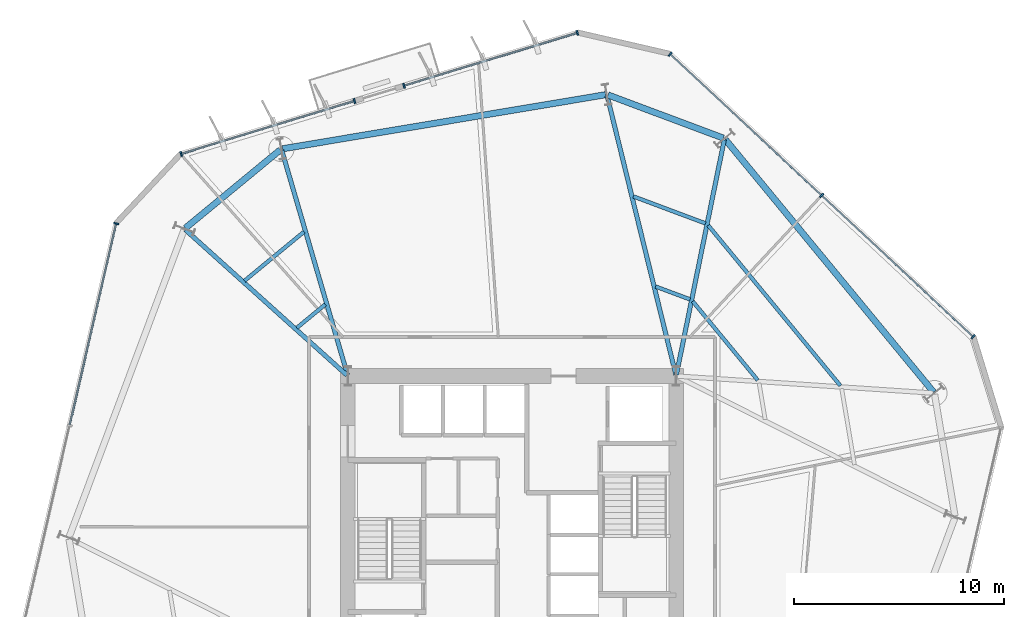
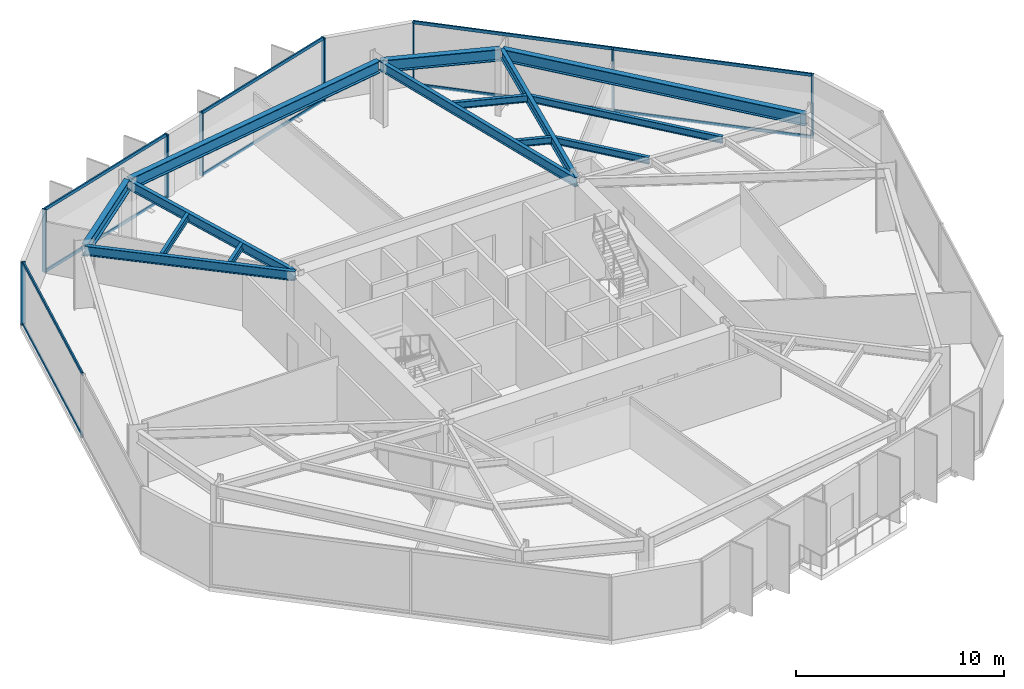
# One storey, part 4 of 9: 18 members, 14 beams, 4 elements without a shape of their own.
"""IFC4 building model written with IfcOpenShell, lengths in metres."""

from ifc_helpers import new_model, si_unit, direction, frame, origin, origin_2d, place, context, subcontext, project, spatial, rectangle, i_section, extrude, material, layer, layer_set, material_profile, profile_set, type_object, element, aggregate, save


model = new_model("IFC4")

# Units and contexts
model_context = context("Model", 3, precision=1e-05, world=origin(), true_north=direction((0.0, 1.0)))
body_context = subcontext(model_context, "Body", "Model", "MODEL_VIEW")
ifc_project = project(units=[si_unit("LENGTHUNIT", "METRE"), si_unit("AREAUNIT", "SQUARE_METRE"), si_unit("VOLUMEUNIT", "CUBIC_METRE"), si_unit("PLANEANGLEUNIT", "RADIAN"), si_unit("MASSUNIT", "GRAM", prefix="KILO")], contexts=[model_context])

# Site, building, storey
site_placement = place(None, origin())
site = spatial("IfcSite", under=ifc_project, at=site_placement, CompositionType="ELEMENT")
building_placement = place(site_placement, origin())
building = spatial("IfcBuilding", under=site, at=building_placement, Name="Kranzbogen Civic Tower", CompositionType="ELEMENT")
storey_placement = place(building_placement, frame((0.0, 0.0, 88.0)))
storey = spatial("IfcBuildingStorey", under=building, at=storey_placement, Name="L21", CompositionType="ELEMENT", Elevation=88.0)

# Curtain wall, members
ifc_material_1 = material(Name="Pale Anodised Aluminium", Category="aluminium")
ifc_layer = layer(ifc_material_1, 0.219970703125, Name="Pale Anodised Aluminium")
ifc_layer_set = layer_set([ifc_layer], Name="Pale Anodised Aluminium")
curtain_wall_type = type_object("IfcCurtainWallType", Name="Zone 1 Stick Curtain Wall System CW-02", PredefinedType="USERDEFINED", material=ifc_layer_set)
curtain_wall_1_placement = place(storey_placement, origin())
curtain_wall_1 = element("IfcCurtainWall", 1, at=curtain_wall_1_placement, inside=storey, type_object=curtain_wall_type, Name="L21 curtain wall CW-L21-F1", ObjectType="STICK CURTAIN WALL", PredefinedType="USERDEFINED")
ifc_material_profile_1 = material_profile(ifc_material_1, rectangle(XDim=0.080078125, YDim=0.239990234375, at=origin_2d()), Name="ALU-M 80x240")
ifc_profile_set_1 = profile_set([ifc_material_profile_1], Name="Pale Anodised Aluminium")
member_type_1 = type_object("IfcMemberType", Name="Curtain Wall Mullion ALU-M 80x240", PredefinedType="MULLION", material=ifc_profile_set_1)
member_1_placement = place(storey_placement, frame((46.9111328125, 34.0654296875, 0.0), z_axis=(0.0, 0.0, 1.0), x_axis=(-0.731366783593, 0.681984331093, 0.0)))
member_1 = element("IfcMember", 2, at=member_1_placement, type_object=member_type_1, Name="CW-02 mullion 1", PredefinedType="MULLION", context=body_context, shape_type="SweptSolid", body=[
    extrude(rectangle(XDim=0.080078125, YDim=0.239990234375, at=origin_2d()), origin(), (0.0, 0.0, 1.0), 3.699951171875),
])
member_2_placement = place(storey_placement, frame((39.712890625, 40.777587890625, 0.0), z_axis=(0.0, 0.0, 1.0), x_axis=(-0.731366783593, 0.681984331093, 0.0)))
member_2 = element("IfcMember", 3, at=member_2_placement, type_object=member_type_1, Name="CW-02 mullion 2", PredefinedType="MULLION", context=body_context, shape_type="SweptSolid", body=[
    extrude(rectangle(XDim=0.080078125, YDim=0.239990234375, at=origin_2d()), origin(), (0.0, 0.0, 1.0), 3.699951171875),
])
member_3_placement = place(storey_placement, frame((32.514892578125, 47.489501953125, 0.0), z_axis=(0.0, 0.0, 1.0), x_axis=(-0.731366783593, 0.681984331093, 0.0)))
member_3 = element("IfcMember", 4, at=member_3_placement, type_object=member_type_1, Name="CW-02 mullion 3", PredefinedType="MULLION", context=body_context, shape_type="SweptSolid", body=[
    extrude(rectangle(XDim=0.080078125, YDim=0.239990234375, at=origin_2d()), origin(), (0.0, 0.0, 1.0), 3.699951171875),
])

curtain_wall_2_placement = place(storey_placement, origin())
curtain_wall_2 = element("IfcCurtainWall", 5, at=curtain_wall_2_placement, inside=storey, type_object=curtain_wall_type, Name="L21 curtain wall CW-L21-F2-S1", ObjectType="STICK CURTAIN WALL", PredefinedType="USERDEFINED")
member_4_placement = place(storey_placement, frame((28.105224609375, 48.50732421875, 0.0), z_axis=(0.0, 0.0, 1.0), x_axis=(-0.956296060209, -0.29240014574, 0.0)))
member_4 = element("IfcMember", 6, at=member_4_placement, type_object=member_type_1, Name="CW-02 mullion 1", PredefinedType="MULLION", context=body_context, shape_type="SweptSolid", body=[
    extrude(rectangle(XDim=0.080078125, YDim=0.239990234375, at=origin_2d()), origin(), (0.0, 0.0, 1.0), 3.699951171875),
])
member_5_placement = place(storey_placement, frame((19.86865234375, 45.98876953125, 0.0), z_axis=(0.0, 0.0, 1.0), x_axis=(-0.956296060209, -0.29240014574, 0.0)))
member_5 = element("IfcMember", 7, at=member_5_placement, type_object=member_type_1, Name="CW-02 mullion 2", PredefinedType="MULLION", context=body_context, shape_type="SweptSolid", body=[
    extrude(rectangle(XDim=0.080078125, YDim=0.239990234375, at=origin_2d()), origin(), (0.0, 0.0, 1.0), 3.699951171875),
])

curtain_wall_3_placement = place(storey_placement, origin())
curtain_wall_3 = element("IfcCurtainWall", 8, at=curtain_wall_3_placement, inside=storey, type_object=curtain_wall_type, Name="L21 curtain wall CW-L21-F2-S2", ObjectType="STICK CURTAIN WALL", PredefinedType="USERDEFINED")
member_6_placement = place(storey_placement, frame((17.516357421875, 45.269287109375, 0.0), z_axis=(0.0, 0.0, 1.0), x_axis=(-0.956318442996, -0.292326932707, 0.0)))
member_6 = element("IfcMember", 9, at=member_6_placement, type_object=member_type_1, Name="CW-02 mullion 1", PredefinedType="MULLION", context=body_context, shape_type="SweptSolid", body=[
    extrude(rectangle(XDim=0.080078125, YDim=0.239990234375, at=origin_2d()), origin(), (0.0, 0.0, 1.0), 3.699951171875),
])
member_7_placement = place(storey_placement, frame((9.28076171875, 42.751708984375, 0.0), z_axis=(0.0, 0.0, 1.0), x_axis=(-0.956318442996, -0.292326932707, 0.0)))
member_7 = element("IfcMember", 10, at=member_7_placement, type_object=member_type_1, Name="CW-02 mullion 2", PredefinedType="MULLION", context=body_context, shape_type="SweptSolid", body=[
    extrude(rectangle(XDim=0.080078125, YDim=0.239990234375, at=origin_2d()), origin(), (0.0, 0.0, 1.0), 3.699951171875),
])

# Curtain wall, member
curtain_wall_4_placement = place(storey_placement, origin())
curtain_wall_4 = element("IfcCurtainWall", 11, at=curtain_wall_4_placement, inside=storey, type_object=curtain_wall_type, Name="L21 curtain wall CW-L21-F3", ObjectType="STICK CURTAIN WALL", PredefinedType="USERDEFINED")
member_8_placement = place(storey_placement, frame((6.1943359375, 39.44287109375, 0.0), z_axis=(0.0, 0.0, 1.0), x_axis=(-0.224977873109, -0.974363872797, 0.0)))
member_8 = element("IfcMember", 12, at=member_8_placement, type_object=member_type_1, Name="CW-02 mullion 1", PredefinedType="MULLION", context=body_context, shape_type="SweptSolid", body=[
    extrude(rectangle(XDim=0.080078125, YDim=0.239990234375, at=origin_2d()), origin(), (0.0, 0.0, 1.0), 3.699951171875),
])

# Member
ifc_material_profile_2 = material_profile(ifc_material_1, rectangle(XDim=0.080078125, YDim=0.179931640625, at=origin_2d()), Name="ALU-T 80x180")
ifc_profile_set_2 = profile_set([ifc_material_profile_2], Name="Pale Anodised Aluminium")
member_type_2 = type_object("IfcMemberType", Name="Curtain Wall Transom ALU-T 80x180", PredefinedType="USERDEFINED", material=ifc_profile_set_2)
member_9_placement = place(storey_placement, frame((46.88916015625, 34.0859375, 0.030029296875), z_axis=(-0.731371404385, 0.681979375676, 0.0), x_axis=(-0.681979375676, -0.731371404385, 0.0)))
member_9 = element("IfcMember", 13, at=member_9_placement, type_object=member_type_2, Name="CW-02 transom 1.1", ObjectType="TRANSOM", PredefinedType="USERDEFINED", context=body_context, shape_type="SweptSolid", body=[
    extrude(rectangle(XDim=0.080078125, YDim=0.179931640625, at=origin_2d()), origin(), (0.0, 0.0, 1.0), 9.781982421875),
])

member_10_placement = place(storey_placement, frame((46.88916015625, 34.0859375, 3.669921875), z_axis=(-0.731371404385, 0.681979375676, 0.0), x_axis=(-0.681979375676, -0.731371404385, 0.0)))
member_10 = element("IfcMember", 14, at=member_10_placement, type_object=member_type_2, Name="CW-02 transom 1.2", ObjectType="TRANSOM", PredefinedType="USERDEFINED", context=body_context, shape_type="SweptSolid", body=[
    extrude(rectangle(XDim=0.080078125, YDim=0.179931640625, at=origin_2d()), origin(), (0.0, 0.0, 1.0), 9.781982421875),
])

member_11_placement = place(storey_placement, frame((39.691162109375, 40.7978515625, 0.030029296875), z_axis=(-0.731371404385, 0.681979375676, 0.0), x_axis=(-0.681979375676, -0.731371404385, 0.0)))
member_11 = element("IfcMember", 15, at=member_11_placement, type_object=member_type_2, Name="CW-02 transom 2.1", ObjectType="TRANSOM", PredefinedType="USERDEFINED", context=body_context, shape_type="SweptSolid", body=[
    extrude(rectangle(XDim=0.080078125, YDim=0.179931640625, at=origin_2d()), origin(), (0.0, 0.0, 1.0), 9.781982421875),
])

member_12_placement = place(storey_placement, frame((39.691162109375, 40.7978515625, 3.669921875), z_axis=(-0.731371404385, 0.681979375676, 0.0), x_axis=(-0.681979375676, -0.731371404385, 0.0)))
member_12 = element("IfcMember", 16, at=member_12_placement, type_object=member_type_2, Name="CW-02 transom 2.2", ObjectType="TRANSOM", PredefinedType="USERDEFINED", context=body_context, shape_type="SweptSolid", body=[
    extrude(rectangle(XDim=0.080078125, YDim=0.179931640625, at=origin_2d()), origin(), (0.0, 0.0, 1.0), 9.781982421875),
])

aggregate(curtain_wall_1, [member_1, member_2, member_3, member_9, member_10, member_11, member_12])

member_13_placement = place(storey_placement, frame((28.07666015625, 48.49853515625, 0.030029296875), z_axis=(-0.956293496514, -0.292408530186, 0.0), x_axis=(0.292408530186, -0.956293496514, 0.0)))
member_13 = element("IfcMember", 17, at=member_13_placement, type_object=member_type_2, Name="CW-02 transom 1.1", ObjectType="TRANSOM", PredefinedType="USERDEFINED", context=body_context, shape_type="SweptSolid", body=[
    extrude(rectangle(XDim=0.080078125, YDim=0.179931640625, at=origin_2d()), origin(), (0.0, 0.0, 1.0), 8.552978515625),
])

member_14_placement = place(storey_placement, frame((28.07666015625, 48.49853515625, 3.669921875), z_axis=(-0.956293496514, -0.292408530186, 0.0), x_axis=(0.292408530186, -0.956293496514, 0.0)))
member_14 = element("IfcMember", 18, at=member_14_placement, type_object=member_type_2, Name="CW-02 transom 1.2", ObjectType="TRANSOM", PredefinedType="USERDEFINED", context=body_context, shape_type="SweptSolid", body=[
    extrude(rectangle(XDim=0.080078125, YDim=0.179931640625, at=origin_2d()), origin(), (0.0, 0.0, 1.0), 8.552978515625),
])

aggregate(curtain_wall_2, [member_4, member_5, member_13, member_14])

member_15_placement = place(storey_placement, frame((17.487548828125, 45.260498046875, 0.030029296875), z_axis=(-0.956315661701, -0.29233603128, 0.0), x_axis=(0.29233603128, -0.956315661701, 0.0)))
member_15 = element("IfcMember", 19, at=member_15_placement, type_object=member_type_2, Name="CW-02 transom 1.1", ObjectType="TRANSOM", PredefinedType="USERDEFINED", context=body_context, shape_type="SweptSolid", body=[
    extrude(rectangle(XDim=0.080078125, YDim=0.179931640625, at=origin_2d()), origin(), (0.0, 0.0, 1.0), 8.5517578125),
])

member_16_placement = place(storey_placement, frame((17.487548828125, 45.260498046875, 3.669921875), z_axis=(-0.956315661701, -0.29233603128, 0.0), x_axis=(0.29233603128, -0.956315661701, 0.0)))
member_16 = element("IfcMember", 20, at=member_16_placement, type_object=member_type_2, Name="CW-02 transom 1.2", ObjectType="TRANSOM", PredefinedType="USERDEFINED", context=body_context, shape_type="SweptSolid", body=[
    extrude(rectangle(XDim=0.080078125, YDim=0.179931640625, at=origin_2d()), origin(), (0.0, 0.0, 1.0), 8.5517578125),
])

aggregate(curtain_wall_3, [member_6, member_7, member_15, member_16])

member_17_placement = place(storey_placement, frame((6.1875, 39.41357421875, 0.030029296875), z_axis=(-0.224972517809, -0.974365109305, 0.0), x_axis=(0.974365109305, -0.224972517809, 0.0)))
member_17 = element("IfcMember", 21, at=member_17_placement, type_object=member_type_2, Name="CW-02 transom 1.1", ObjectType="TRANSOM", PredefinedType="USERDEFINED", context=body_context, shape_type="SweptSolid", body=[
    extrude(rectangle(XDim=0.080078125, YDim=0.179931640625, at=origin_2d()), origin(), (0.0, 0.0, 1.0), 9.781982421875),
])

member_18_placement = place(storey_placement, frame((6.1875, 39.41357421875, 3.669921875), z_axis=(-0.224972517809, -0.974365109305, 0.0), x_axis=(0.974365109305, -0.224972517809, 0.0)))
member_18 = element("IfcMember", 22, at=member_18_placement, type_object=member_type_2, Name="CW-02 transom 1.2", ObjectType="TRANSOM", PredefinedType="USERDEFINED", context=body_context, shape_type="SweptSolid", body=[
    extrude(rectangle(XDim=0.080078125, YDim=0.179931640625, at=origin_2d()), origin(), (0.0, 0.0, 1.0), 9.781982421875),
])

aggregate(curtain_wall_4, [member_8, member_17, member_18])

# Beams
ifc_material_2 = material(Name="Steel S355", Category="steel")
ifc_material_profile_3 = material_profile(ifc_material_2, i_section(OverallWidth=0.300048828125, OverallDepth=0.699951171875, WebThickness=0.01708984375, FlangeThickness=0.031982421875, at=origin_2d()), Name="HEB 700")
ifc_profile_set_3 = profile_set([ifc_material_profile_3], Name="Steel S355")
beam_type_1 = type_object("IfcBeamType", Name="Perimeter Tube Spandrel Beam HEB 700", PredefinedType="SPANDREL", material=ifc_profile_set_3)
beam_1_placement = place(storey_placement, frame((45.033935546875, 31.431884765625, 3.35009765625), z_axis=(-0.636074572579, 0.771627590304, 0.0), x_axis=(-0.771627590304, -0.636074572579, 0.0)))
element("IfcBeam", 23, at=beam_1_placement, inside=storey, type_object=beam_type_1, Name="L21 perimeter spandrel beam 08", PredefinedType="SPANDREL", context=body_context, shape_type="SweptSolid", body=[
    extrude(i_section(OverallWidth=0.300048828125, OverallDepth=0.699951171875, WebThickness=0.01708984375, FlangeThickness=0.031982421875, at=origin_2d()), origin(), (0.0, 0.0, 1.0), 15.5595703125),
])
beam_2_placement = place(storey_placement, frame((35.04296875, 43.5048828125, 3.35009765625), z_axis=(-0.936647646965, 0.350273015568, 0.0), x_axis=(-0.350273015568, -0.936647646965, 0.0)))
element("IfcBeam", 24, at=beam_2_placement, inside=storey, type_object=beam_type_1, Name="L21 perimeter spandrel beam 09", PredefinedType="SPANDREL", context=body_context, shape_type="SweptSolid", body=[
    extrude(i_section(OverallWidth=0.300048828125, OverallDepth=0.699951171875, WebThickness=0.01708984375, FlangeThickness=0.031982421875, at=origin_2d()), origin(), (0.0, 0.0, 1.0), 5.852783203125),
])
beam_3_placement = place(storey_placement, frame((29.446044921875, 45.56591796875, 3.35009765625), z_axis=(-0.986285563243, -0.165047834697, 0.0), x_axis=(0.165047834697, -0.986285563243, 0.0)))
element("IfcBeam", 25, at=beam_3_placement, inside=storey, type_object=beam_type_1, Name="L21 perimeter spandrel beam 10", PredefinedType="SPANDREL", context=body_context, shape_type="SweptSolid", body=[
    extrude(i_section(OverallWidth=0.300048828125, OverallDepth=0.699951171875, WebThickness=0.01708984375, FlangeThickness=0.031982421875, at=origin_2d()), origin(), (0.0, 0.0, 1.0), 15.558349609375),
])
beam_4_placement = place(storey_placement, frame((13.99609375, 42.949951171875, 3.35009765625), z_axis=(-0.77168336865, -0.636006901337, 0.0), x_axis=(0.636006901337, -0.77168336865, 0.0)))
element("IfcBeam", 26, at=beam_4_placement, inside=storey, type_object=beam_type_1, Name="L21 perimeter spandrel beam 11", PredefinedType="SPANDREL", context=body_context, shape_type="SweptSolid", body=[
    extrude(i_section(OverallWidth=0.300048828125, OverallDepth=0.699951171875, WebThickness=0.01708984375, FlangeThickness=0.031982421875, at=origin_2d()), origin(), (0.0, 0.0, 1.0), 5.853515625),
])
ifc_material_profile_4 = material_profile(ifc_material_2, i_section(OverallWidth=0.2099609375, OverallDepth=0.550048828125, WebThickness=0.010986328125, FlangeThickness=0.01708984375, at=origin_2d()), Name="IPE 550")
ifc_profile_set_4 = profile_set([ifc_material_profile_4], Name="Steel S355")
beam_type_2 = type_object("IfcBeamType", Name="Radial Tower Floor Girder IPE 550", PredefinedType="BEAM", material=ifc_profile_set_4)
beam_5_placement = place(storey_placement, frame((35.0869140625, 43.425048828125, 3.425048828125), z_axis=(-0.199633433694, -0.979870650725, 0.0), x_axis=(0.979870650725, -0.199633433694, 0.0)))
element("IfcBeam", 27, at=beam_5_placement, inside=storey, type_object=beam_type_2, Name="L21 radial floor girder 09", PredefinedType="BEAM", context=body_context, shape_type="SweptSolid", body=[
    extrude(i_section(OverallWidth=0.2099609375, OverallDepth=0.550048828125, WebThickness=0.010986328125, FlangeThickness=0.01708984375, at=origin_2d()), origin(), (0.0, 0.0, 1.0), 11.3955078125),
])
beam_6_placement = place(storey_placement, frame((29.51904296875, 45.51806640625, 3.425048828125), z_axis=(0.239215348776, -0.970966537482, 0.0), x_axis=(0.970966537482, 0.239215348776, 0.0)))
element("IfcBeam", 28, at=beam_6_placement, inside=storey, type_object=beam_type_2, Name="L21 radial floor girder 10", PredefinedType="BEAM", context=body_context, shape_type="SweptSolid", body=[
    extrude(i_section(OverallWidth=0.2099609375, OverallDepth=0.550048828125, WebThickness=0.010986328125, FlangeThickness=0.01708984375, at=origin_2d()), origin(), (0.0, 0.0, 1.0), 13.656494140625),
])
beam_7_placement = place(storey_placement, frame((14.05908203125, 42.929931640625, 3.425048828125), z_axis=(0.280944131918, -0.959724124288, 0.0), x_axis=(0.959724124288, 0.280944131918, 0.0)))
element("IfcBeam", 29, at=beam_7_placement, inside=storey, type_object=beam_type_2, Name="L21 radial floor girder 11", PredefinedType="BEAM", context=body_context, shape_type="SweptSolid", body=[
    extrude(i_section(OverallWidth=0.2099609375, OverallDepth=0.550048828125, WebThickness=0.010986328125, FlangeThickness=0.01708984375, at=origin_2d()), origin(), (0.0, 0.0, 1.0), 11.11962890625),
])
beam_8_placement = place(storey_placement, frame((9.47802734375, 39.14892578125, 3.425048828125), z_axis=(0.743311776894, -0.668945141496, 0.0), x_axis=(0.668945141496, 0.743311776894, 0.0)))
element("IfcBeam", 30, at=beam_8_placement, inside=storey, type_object=beam_type_2, Name="L21 radial floor girder 12", PredefinedType="BEAM", context=body_context, shape_type="SweptSolid", body=[
    extrude(i_section(OverallWidth=0.2099609375, OverallDepth=0.550048828125, WebThickness=0.010986328125, FlangeThickness=0.01708984375, at=origin_2d()), origin(), (0.0, 0.0, 1.0), 10.328125),
])
ifc_material_profile_5 = material_profile(ifc_material_2, i_section(OverallWidth=0.179931640625, OverallDepth=0.39990234375, WebThickness=0.008544921875, FlangeThickness=0.013427734375, at=origin_2d()), Name="IPE 400")
ifc_profile_set_5 = profile_set([ifc_material_profile_5], Name="Steel S355")
beam_type_3 = type_object("IfcBeamType", Name="Secondary Composite Floor Joist IPE 400", PredefinedType="JOIST", material=ifc_profile_set_5)
beam_9_placement = place(storey_placement, frame((40.60302734375, 31.740966796875, 3.5), z_axis=(-0.636094561772, 0.771611112209, 0.0), x_axis=(-0.771611112209, -0.636094561772, 0.0)))
element("IfcBeam", 31, at=beam_9_placement, inside=storey, type_object=beam_type_3, Name="L21 secondary floor joist 1.08", PredefinedType="JOIST", context=body_context, shape_type="SweptSolid", body=[
    extrude(i_section(OverallWidth=0.179931640625, OverallDepth=0.39990234375, WebThickness=0.008544921875, FlangeThickness=0.013427734375, at=origin_2d()), origin(), (0.0, 0.0, 1.0), 9.874267578125),
])
beam_10_placement = place(storey_placement, frame((36.676025390625, 32.0009765625, 3.5), z_axis=(-0.636012010413, 0.771679157818, 0.0), x_axis=(-0.771679157818, -0.636012010413, 0.0)))
element("IfcBeam", 32, at=beam_10_placement, inside=storey, type_object=beam_type_3, Name="L21 secondary floor joist 2.08", PredefinedType="JOIST", context=body_context, shape_type="SweptSolid", body=[
    extrude(i_section(OverallWidth=0.179931640625, OverallDepth=0.39990234375, WebThickness=0.008544921875, FlangeThickness=0.013427734375, at=origin_2d()), origin(), (0.0, 0.0, 1.0), 4.85693359375),
])
beam_11_placement = place(storey_placement, frame((34.196044921875, 39.449951171875, 3.5), z_axis=(-0.936622008794, 0.350341565678, 0.0), x_axis=(-0.350341565678, -0.936622008794, 0.0)))
element("IfcBeam", 33, at=beam_11_placement, inside=storey, type_object=beam_type_3, Name="L21 secondary floor joist 1.09", PredefinedType="JOIST", context=body_context, shape_type="SweptSolid", body=[
    extrude(i_section(OverallWidth=0.179931640625, OverallDepth=0.39990234375, WebThickness=0.008544921875, FlangeThickness=0.013427734375, at=origin_2d()), origin(), (0.0, 0.0, 1.0), 3.662109375),
])
beam_12_placement = place(storey_placement, frame((33.4609375, 35.839111328125, 3.5), z_axis=(-0.936735458815, 0.350038112495, 0.0), x_axis=(-0.350038112495, -0.936735458815, 0.0)))
element("IfcBeam", 34, at=beam_12_placement, inside=storey, type_object=beam_type_3, Name="L21 secondary floor joist 2.09", PredefinedType="JOIST", context=body_context, shape_type="SweptSolid", body=[
    extrude(i_section(OverallWidth=0.179931640625, OverallDepth=0.39990234375, WebThickness=0.008544921875, FlangeThickness=0.013427734375, at=origin_2d()), origin(), (0.0, 0.0, 1.0), 1.750732421875),
])
beam_13_placement = place(storey_placement, frame((15.116943359375, 39.052978515625, 3.5), z_axis=(-0.771712720426, -0.635971286406, 0.0), x_axis=(0.635971286406, -0.771712720426, 0.0)))
element("IfcBeam", 35, at=beam_13_placement, inside=storey, type_object=beam_type_3, Name="L21 secondary floor joist 1.11", PredefinedType="JOIST", context=body_context, shape_type="SweptSolid", body=[
    extrude(i_section(OverallWidth=0.179931640625, OverallDepth=0.39990234375, WebThickness=0.008544921875, FlangeThickness=0.013427734375, at=origin_2d()), origin(), (0.0, 0.0, 1.0), 3.661865234375),
])
beam_14_placement = place(storey_placement, frame((16.1279296875, 35.60107421875, 3.5), z_axis=(-0.771773324836, -0.635897739477, 0.0), x_axis=(0.635897739477, -0.771773324836, 0.0)))
element("IfcBeam", 36, at=beam_14_placement, inside=storey, type_object=beam_type_3, Name="L21 secondary floor joist 2.11", PredefinedType="JOIST", context=body_context, shape_type="SweptSolid", body=[
    extrude(i_section(OverallWidth=0.179931640625, OverallDepth=0.39990234375, WebThickness=0.008544921875, FlangeThickness=0.013427734375, at=origin_2d()), origin(), (0.0, 0.0, 1.0), 1.751953125),
])

save(model, "model.ifc")
